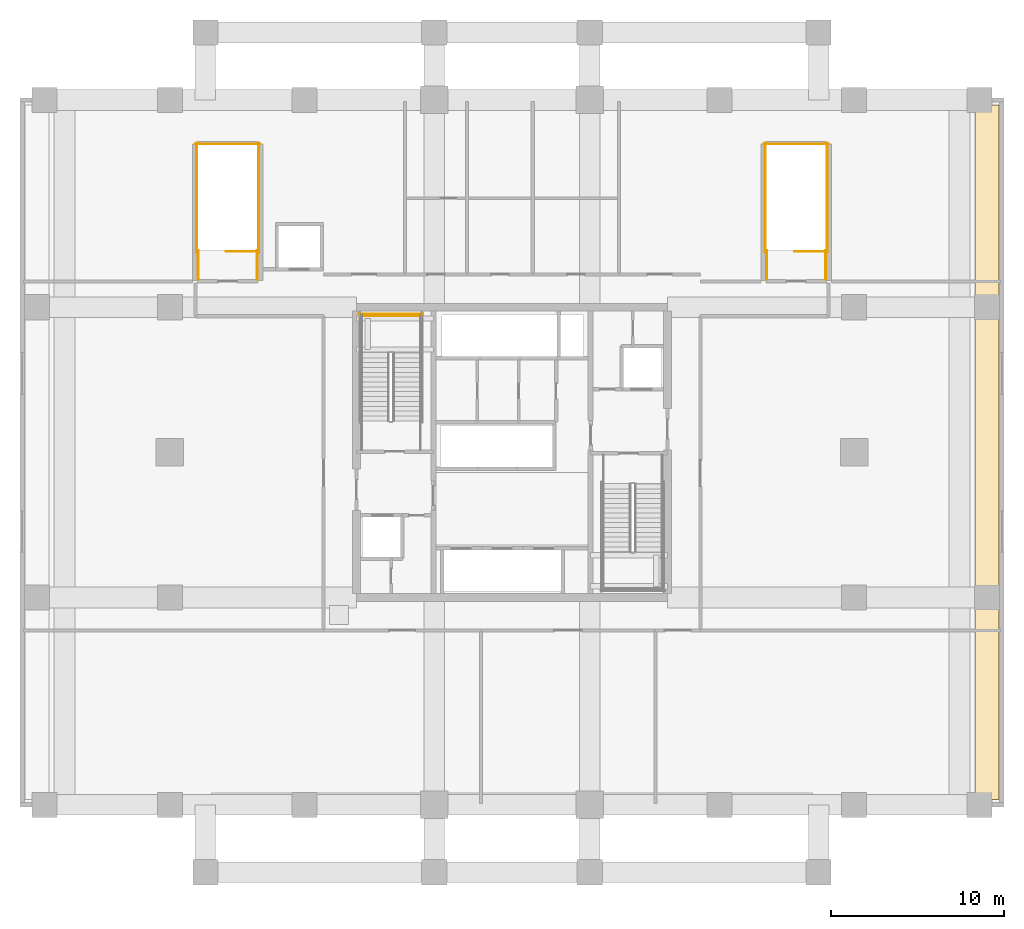
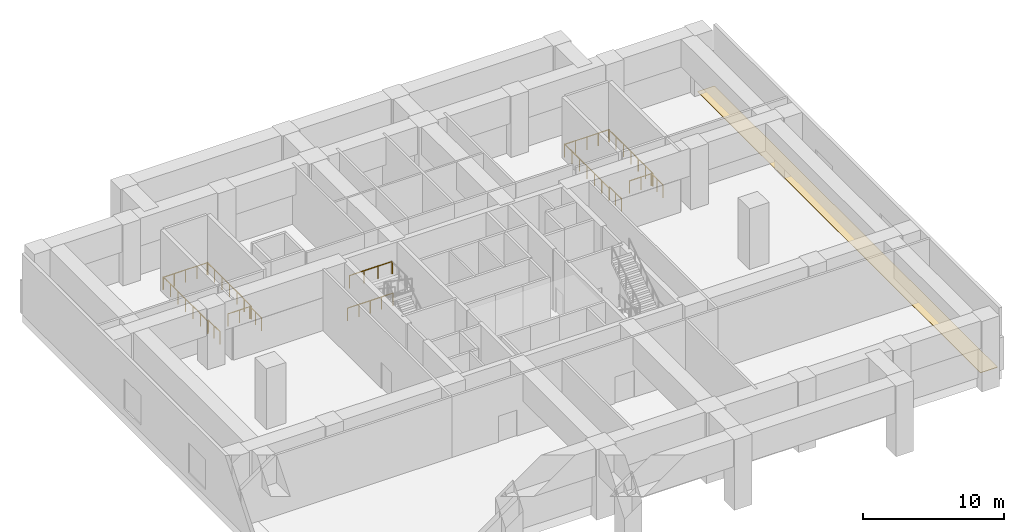
# One storey, part 9 of 9: 14 railings, 1 covering.
"""IFC4 building model written with IfcOpenShell, lengths in metres."""

import ifcopenshell
import ifcopenshell.guid

model = None  # the IFC model being written
_history = None  # IfcOwnerHistory: only IFC2X3 demands one
_inside = {}  # id of a spatial element -> (the spatial element, [elements in it])
_under = {}  # id of a project, library or spatial element -> (it, [spatial elements below it])
_declared = {}  # id of a project -> (the project, [libraries it declares])
_typed = {}  # id of a type object -> (the type object, [elements of that type])
_made_of = {}  # id of a material, layer set ... -> (it, [elements and type objects made of it])


def new_model(schema):
    """Start an empty IFC model of exactly this schema.

    Asked for "IFC4X3", IfcOpenShell would pick the latest addendum, in which some entities
    have other attributes; the version numbers below select the first issue.
    IFC2X3 requires an IfcOwnerHistory on every rooted entity: one is made here for all.
    """
    global model, _history
    if schema == "IFC4X3":
        model = ifcopenshell.file(schema_version=(4, 3, 0, 0))
    else:
        model = ifcopenshell.file(schema=schema)
    _inside.clear()
    _under.clear()
    _declared.clear()
    _typed.clear()
    _made_of.clear()
    _history = None
    if model.schema == "IFC2X3":
        org = make("IfcOrganization", Name="unknown")
        user = make(
            "IfcPersonAndOrganization",
            ThePerson=make("IfcPerson", FamilyName="unknown"),
            TheOrganization=org,
        )
        app = make(
            "IfcApplication",
            ApplicationDeveloper=org,
            Version="unknown",
            ApplicationFullName="unknown",
            ApplicationIdentifier="unknown",
        )
        _history = make(
            "IfcOwnerHistory",
            OwningUser=user,
            OwningApplication=app,
            ChangeAction="ADDED",
            CreationDate=0,
        )
    return model


def make(cls, **values):
    """One entity of the class cls with the attributes given. An attribute that is None is left unset."""
    return model.create_entity(
        cls, **{name: value for name, value in values.items() if value is not None}
    )


def rooted(cls, **values):
    """An entity with a GlobalId (a new one), such as an element, a storey or a relation."""
    return make(cls, GlobalId=ifcopenshell.guid.new(), OwnerHistory=_history, **values)


def si_unit(unit_type, name, prefix=None):
    """IfcSIUnit, for example si_unit("LENGTHUNIT", "METRE", prefix="MILLI")."""
    return make("IfcSIUnit", UnitType=unit_type, Prefix=prefix, Name=name)


def assignment(units):
    """IfcUnitAssignment: the units of a project."""
    return None if units is None else make("IfcUnitAssignment", Units=units)


def point(xyz):
    """IfcCartesianPoint."""
    return None if xyz is None else make("IfcCartesianPoint", Coordinates=xyz)


def direction(xyz):
    """IfcDirection."""
    return None if xyz is None else make("IfcDirection", DirectionRatios=xyz)


def frame(location, z_axis=None, x_axis=None):
    """IfcAxis2Placement3D, a coordinate frame: its origin and axes. An axis left out is left unset."""
    return make(
        "IfcAxis2Placement3D",
        Location=point(location),
        Axis=direction(z_axis),
        RefDirection=direction(x_axis),
    )


def frame_2d(location, x_axis=None):
    """IfcAxis2Placement2D, a coordinate frame in the plane: its origin and x axis."""
    return make(
        "IfcAxis2Placement2D", Location=point(location), RefDirection=direction(x_axis)
    )


def origin():
    """The frame at (0, 0, 0) with its axes left unset."""
    return frame((0.0, 0.0, 0.0))


def origin_2d():
    """The frame at (0, 0) in the plane with its x axis left unset."""
    return frame_2d((0.0, 0.0))


def place(relative_to, where):
    """IfcLocalPlacement: puts the frame where relative to a parent placement (None: the world)."""
    return make(
        "IfcLocalPlacement", PlacementRelTo=relative_to, RelativePlacement=where
    )


def context(
    kind, dimensions, precision=None, world=None, true_north=None, identifier=None
):
    """IfcGeometricRepresentationContext, for example the 3D "Model" context."""
    return make(
        "IfcGeometricRepresentationContext",
        ContextIdentifier=identifier,
        ContextType=kind,
        CoordinateSpaceDimension=dimensions,
        Precision=precision,
        WorldCoordinateSystem=world,
        TrueNorth=true_north,
    )


def subcontext(parent, identifier, kind, view, scale=None):
    """IfcGeometricRepresentationSubContext, for example "Body" below "Model"."""
    return make(
        "IfcGeometricRepresentationSubContext",
        ContextIdentifier=identifier,
        ContextType=kind,
        ParentContext=parent,
        TargetScale=scale,
        TargetView=view,
    )


def project(units=None, contexts=None):
    """IfcProject with its units and contexts."""
    return rooted(
        "IfcProject",
        Name="project",
        RepresentationContexts=contexts,
        UnitsInContext=assignment(units),
    )


def spatial(cls, under=None, at=None, **own):
    """A site, building, storey or space (cls), placed at a placement, below another one or the project."""
    s = rooted(cls, ObjectPlacement=at, **own)
    if under is not None:
        _under.setdefault(under.id(), (under, []))[1].append(s)
    return s


def polyline(points):
    """IfcPolyline through the points."""
    return make("IfcPolyline", Points=[point(p) for p in points])


def profile(cls, at=None, kind="AREA", **sizes):
    """A parametric profile (cls). Its sizes go by their IFC names, for example OverallWidth=200.0."""
    return make(cls, ProfileType=kind, Position=at, **sizes)


def circle(**sizes):
    """IfcCircleProfileDef."""
    return profile("IfcCircleProfileDef", **sizes)


def outline(outer, holes=None, kind="AREA"):
    """IfcArbitraryClosedProfileDef: a profile drawn as a closed curve; with holes, ...WithVoids."""
    if holes is None:
        return make("IfcArbitraryClosedProfileDef", ProfileType=kind, OuterCurve=outer)
    return make(
        "IfcArbitraryProfileDefWithVoids",
        ProfileType=kind,
        OuterCurve=outer,
        InnerCurves=holes,
    )


def extrude(swept, where, along, depth):
    """IfcExtrudedAreaSolid: the profile swept, set in the frame where, extruded along a direction by depth."""
    return make(
        "IfcExtrudedAreaSolid",
        SweptArea=swept,
        Position=where,
        ExtrudedDirection=direction(along),
        Depth=depth,
    )


def shape(context_of_items, identifier, shape_type, items):
    """IfcShapeRepresentation: the items that make up one representation, for example the "Body"."""
    return make(
        "IfcShapeRepresentation",
        ContextOfItems=context_of_items,
        RepresentationIdentifier=identifier,
        RepresentationType=shape_type,
        Items=items,
    )


def material(Name=None, Category=None):
    """IfcMaterial."""
    return make("IfcMaterial", Name=Name, Category=Category)


def layer(
    of_material, thickness, ventilated=None, Name=None, Category=None, Priority=None
):
    """IfcMaterialLayer: one layer of a wall or slab, of a material (None: an air gap)."""
    return make(
        "IfcMaterialLayer",
        Material=of_material,
        LayerThickness=thickness,
        IsVentilated=ventilated,
        Name=Name,
        Category=Category,
        Priority=Priority,
    )


def layer_set(layers, Name=None):
    """IfcMaterialLayerSet."""
    return make("IfcMaterialLayerSet", MaterialLayers=layers, LayerSetName=Name)


def made_of(thing, what):
    """Note that an element or type object is made of a material, layer set ...; save() writes the relation."""
    if what is not None:
        _made_of.setdefault(what.id(), (what, []))[1].append(thing)
    return thing


def type_object(cls, material=None, **own):
    """A type object (cls), such as IfcWallType, which elements share."""
    return made_of(rooted(cls, **own), material)


def element(
    cls,
    number,
    at=None,
    inside=None,
    cuts=None,
    type_object=None,
    material=None,
    context=None,
    identifier="Body",
    shape_type=None,
    held_by="IfcProductDefinitionShape",
    body=None,
    shapes=None,
    **own,
):
    """One element of the class cls, such as IfcWall. Its Tag is "e" and its number.

    at: its placement. inside: the storey or other place that contains it. cuts: it is an
    opening in that element (IfcRelVoidsElement). A single representation is given by context,
    identifier, shape_type and body (its items); several are given by shapes. held_by: the class
    of the entity that holds the representations. save() writes the other relations.
    """
    e = rooted(cls, Tag="e%d" % number, ObjectPlacement=at, **own)
    if body is not None:
        shapes = [shape(context, identifier, shape_type, body)]
    if shapes is not None:
        e.Representation = make(held_by, Representations=shapes)
    if inside is not None:
        _inside.setdefault(inside.id(), (inside, []))[1].append(e)
    if cuts is not None:
        rooted(
            "IfcRelVoidsElement", RelatingBuildingElement=cuts, RelatedOpeningElement=e
        )
    if type_object is not None:
        _typed.setdefault(type_object.id(), (type_object, []))[1].append(e)
    return made_of(e, material)


def aggregate(whole, parts):
    """IfcRelAggregates: a whole, such as a stair, and the parts it consists of."""
    return rooted("IfcRelAggregates", RelatingObject=whole, RelatedObjects=parts)


def save(model, path):
    """Write the relations noted so far, then the file.

    IfcRelAggregates (storeys below a building ...), IfcRelContainedInSpatialStructure (elements
    in a storey), IfcRelDefinesByType, IfcRelAssociatesMaterial and IfcRelDeclares: one each for
    every whole, place, type object, material and project.
    """
    for whole, parts in _under.values():
        aggregate(whole, parts)
    for where, things in _inside.values():
        rooted(
            "IfcRelContainedInSpatialStructure",
            RelatedElements=things,
            RelatingStructure=where,
        )
    for kind, things in _typed.values():
        rooted("IfcRelDefinesByType", RelatedObjects=things, RelatingType=kind)
    for what, things in _made_of.values():
        rooted("IfcRelAssociatesMaterial", RelatedObjects=things, RelatingMaterial=what)
    for by, libraries in _declared.values():
        rooted("IfcRelDeclares", RelatingContext=by, RelatedDefinitions=libraries)
    model.write(path)


model = new_model("IFC4")

# Units and contexts
model_context = context("Model", 3, precision=1e-05, world=origin(), true_north=direction((0.0, 1.0)))
body_context = subcontext(model_context, "Body", "Model", "MODEL_VIEW")
ifc_project = project(units=[si_unit("LENGTHUNIT", "METRE"), si_unit("AREAUNIT", "SQUARE_METRE"), si_unit("VOLUMEUNIT", "CUBIC_METRE"), si_unit("PLANEANGLEUNIT", "RADIAN"), si_unit("MASSUNIT", "GRAM", prefix="KILO")], contexts=[model_context])

# Site, building, storey
site_placement = place(None, origin())
site = spatial("IfcSite", under=ifc_project, at=site_placement, CompositionType="ELEMENT")
building_placement = place(site_placement, origin())
building = spatial("IfcBuilding", under=site, at=building_placement, Name="Serunith Strait Residences", CompositionType="ELEMENT")
storey_placement = place(building_placement, frame((0.0, 0.0, 21.0)))
storey = spatial("IfcBuildingStorey", under=building, at=storey_placement, Name="L04", CompositionType="ELEMENT", Elevation=21.0)

# Covering
ifc_material_1 = material(Name="EPDM & Inverted Stone Ballast Waterproofing Membrane", Category="masonry")
ifc_layer = layer(ifc_material_1, 0.034912109375, Name="EPDM & Inverted Stone Ballast Waterproofing Membrane")
ifc_layer_set = layer_set([ifc_layer], Name="EPDM & Inverted Stone Ballast Waterproofing Membrane")
covering_type = type_object("IfcCoveringType", Name="COV-ROOF-MEMB", PredefinedType="ROOFING", material=ifc_layer_set)
covering_placement = place(storey_placement, origin())
element("IfcCovering", 1, at=covering_placement, inside=storey, type_object=covering_type, Name="L04 Setback Roof Waterproofing Membrane 05", PredefinedType="ROOFING", context=body_context, shape_type="SweptSolid", body=[
    extrude(outline(polyline([(59.199951171875, 5.10009765625), (60.60009765625, 5.10009765625), (60.60009765625, 45.300048828125), (59.199951171875, 45.300048828125), (59.199951171875, 5.10009765625)])), origin(), (0.0, 0.0, 1.0), 0.034912109375),
])

# Railings
ifc_material_2 = material(Name="Brushed stainless steel 316L", Category="steel")
railing_type = type_object("IfcRailingType", Name="RLG-STAIR-GUARD", PredefinedType="BALUSTRADE", material=ifc_material_2)
railing_1_placement = place(storey_placement, frame((27.14990234375, 33.10009765625, 2.85009765625)))
element("IfcRailing", 2, at=railing_1_placement, inside=storey, type_object=railing_type, Name="L04 ST-1 stair guard 5", PredefinedType="BALUSTRADE", context=body_context, shape_type="SweptSolid", body=[
    extrude(circle(Radius=0.02392578125, at=origin_2d()), frame((-0.001953125, 0.0, 1.076171875), z_axis=(-1.0, 0.0, 0.0), x_axis=(0.0, -1.0, 0.0)), (0.0, 0.0, 1.0), 3.49609375),
    extrude(circle(Radius=0.02099609375, at=origin_2d()), origin(), (0.0, 0.0, 1.0), 1.050048828125),
    extrude(circle(Radius=0.02099609375, at=origin_2d()), frame((-1.166748046875, 0.0, 0.0)), (0.0, 0.0, 1.0), 1.050048828125),
    extrude(circle(Radius=0.02099609375, at=origin_2d()), frame((-2.333251953125, 0.0, 0.0)), (0.0, 0.0, 1.0), 1.050048828125),
    extrude(circle(Radius=0.02099609375, at=origin_2d()), frame((-3.5, 0.0, 0.0)), (0.0, 0.0, 1.0), 1.050048828125),
])
railing_2_placement = place(storey_placement, frame((27.25, 33.199951171875, 0.0)))
element("IfcRailing", 3, at=railing_2_placement, inside=storey, type_object=railing_type, Name="L04 ST-1 stair guard 12", PredefinedType="BALUSTRADE", context=body_context, shape_type="SweptSolid", body=[
    extrude(circle(Radius=0.02392578125, at=origin_2d()), frame((-0.001953125, 0.0, 1.076171875), z_axis=(-1.0, 0.0, 0.0), x_axis=(0.0, -1.0, 0.0)), (0.0, 0.0, 1.0), 3.696044921875),
    extrude(circle(Radius=0.02099609375, at=origin_2d()), origin(), (0.0, 0.0, 1.0), 1.050048828125),
    extrude(circle(Radius=0.02099609375, at=origin_2d()), frame((-0.925048828125, 0.0, 0.0)), (0.0, 0.0, 1.0), 1.050048828125),
    extrude(circle(Radius=0.02099609375, at=origin_2d()), frame((-1.85009765625, 0.0, 0.0)), (0.0, 0.0, 1.0), 1.050048828125),
    extrude(circle(Radius=0.02099609375, at=origin_2d()), frame((-2.77490234375, 0.0, 0.0)), (0.0, 0.0, 1.0), 1.050048828125),
    extrude(circle(Radius=0.02099609375, at=origin_2d()), frame((-3.699951171875, 0.0, 0.0)), (0.0, 0.0, 1.0), 1.050048828125),
])
railing_3_placement = place(storey_placement, frame((17.699951171875, 36.830078125, 0.0)))
element("IfcRailing", 4, at=railing_3_placement, inside=storey, type_object=railing_type, Name="L04 ST-3 top well guard 1", PredefinedType="BALUSTRADE", context=body_context, shape_type="SweptSolid", body=[
    extrude(circle(Radius=0.02392578125, at=origin_2d()), frame((-0.001953125, 0.0, 1.076171875), z_axis=(-1.0, 0.0, 0.0), x_axis=(0.0, -1.0, 0.0)), (0.0, 0.0, 1.0), 1.845947265625),
    extrude(circle(Radius=0.02099609375, at=origin_2d()), origin(), (0.0, 0.0, 1.0), 1.050048828125),
    extrude(circle(Radius=0.02099609375, at=origin_2d()), frame((-0.9248046875, 0.0, 0.0)), (0.0, 0.0, 1.0), 1.050048828125),
    extrude(circle(Radius=0.02099609375, at=origin_2d()), frame((-1.849853515625, 0.0, 0.0)), (0.0, 0.0, 1.0), 1.050048828125),
])
for number, where, name in (
    (5, (17.75, 36.780029296875, 0.0), "L04 ST-3 top well guard 2"),
    (6, (14.14990234375, 36.780029296875, 0.0), "L04 ST-3 top well guard 3"),
):
    element("IfcRailing", number, at=place(storey_placement, frame(where)), inside=storey, type_object=railing_type, Name=name, PredefinedType="BALUSTRADE", context=body_context, shape_type="SweptSolid", body=[
        extrude(circle(Radius=0.02392578125, at=origin_2d()), frame((0.0, 0.001953125, 1.076171875), z_axis=(0.0, 1.0, 0.0), x_axis=(-1.0, 0.0, 0.0)), (0.0, 0.0, 1.0), 6.316162109375),
        extrude(circle(Radius=0.02099609375, at=origin_2d()), origin(), (0.0, 0.0, 1.0), 1.050048828125),
        extrude(circle(Radius=0.02099609375, at=origin_2d()), frame((0.0, 1.05322265625, 0.0)), (0.0, 0.0, 1.0), 1.050048828125),
        extrude(circle(Radius=0.02099609375, at=origin_2d()), frame((0.0, 2.106689453125, 0.0)), (0.0, 0.0, 1.0), 1.050048828125),
        extrude(circle(Radius=0.02099609375, at=origin_2d()), frame((0.0, 3.16015625, 0.0)), (0.0, 0.0, 1.0), 1.050048828125),
        extrude(circle(Radius=0.02099609375, at=origin_2d()), frame((0.0, 4.21337890625, 0.0)), (0.0, 0.0, 1.0), 1.050048828125),
        extrude(circle(Radius=0.02099609375, at=origin_2d()), frame((0.0, 5.2666015625, 0.0)), (0.0, 0.0, 1.0), 1.050048828125),
        extrude(circle(Radius=0.02099609375, at=origin_2d()), frame((0.0, 6.320068359375, 0.0)), (0.0, 0.0, 1.0), 1.050048828125),
    ])
railing_4_placement = place(storey_placement, frame((17.800048828125, 43.050048828125, 0.0)))
element("IfcRailing", 7, at=railing_4_placement, inside=storey, type_object=railing_type, Name="L04 ST-3 top well guard 4", PredefinedType="BALUSTRADE", context=body_context, shape_type="SweptSolid", body=[
    extrude(circle(Radius=0.02392578125, at=origin_2d()), frame((-0.001953125, 0.0, 1.076171875), z_axis=(-1.0, 0.0, 0.0), x_axis=(0.0, -1.0, 0.0)), (0.0, 0.0, 1.0), 3.696044921875),
    extrude(circle(Radius=0.02099609375, at=origin_2d()), origin(), (0.0, 0.0, 1.0), 1.050048828125),
    extrude(circle(Radius=0.02099609375, at=origin_2d()), frame((-0.925048828125, 0.0, 0.0)), (0.0, 0.0, 1.0), 1.050048828125),
    extrude(circle(Radius=0.02099609375, at=origin_2d()), frame((-1.85009765625, 0.0, 0.0)), (0.0, 0.0, 1.0), 1.050048828125),
    extrude(circle(Radius=0.02099609375, at=origin_2d()), frame((-2.77490234375, 0.0, 0.0)), (0.0, 0.0, 1.0), 1.050048828125),
    extrude(circle(Radius=0.02099609375, at=origin_2d()), frame((-3.699951171875, 0.0, 0.0)), (0.0, 0.0, 1.0), 1.050048828125),
])
for number, where, name in (
    (8, (17.64990234375, 35.199951171875, 0.0), "L04 ST-3 top well guard 5"),
    (9, (14.25, 35.199951171875, 0.0), "L04 ST-3 top well guard 6"),
):
    element("IfcRailing", number, at=place(storey_placement, frame(where)), inside=storey, type_object=railing_type, Name=name, PredefinedType="BALUSTRADE", context=body_context, shape_type="SweptSolid", body=[
        extrude(circle(Radius=0.02392578125, at=origin_2d()), frame((0.0, 0.001953125, 1.076171875), z_axis=(0.0, 1.0, 0.0), x_axis=(-1.0, 0.0, 0.0)), (0.0, 0.0, 1.0), 1.676025390625),
        extrude(circle(Radius=0.02099609375, at=origin_2d()), origin(), (0.0, 0.0, 1.0), 1.050048828125),
        extrude(circle(Radius=0.02099609375, at=origin_2d()), frame((0.0, 0.83984375, 0.0)), (0.0, 0.0, 1.0), 1.050048828125),
        extrude(circle(Radius=0.02099609375, at=origin_2d()), frame((0.0, 1.679931640625, 0.0)), (0.0, 0.0, 1.0), 1.050048828125),
    ])
railing_5_placement = place(storey_placement, frame((50.60009765625, 36.830078125, 0.0)))
element("IfcRailing", 10, at=railing_5_placement, inside=storey, type_object=railing_type, Name="L04 ST-4 top well guard 1", PredefinedType="BALUSTRADE", context=body_context, shape_type="SweptSolid", body=[
    extrude(circle(Radius=0.02392578125, at=origin_2d()), frame((-0.001953125, 0.0, 1.076171875), z_axis=(-1.0, 0.0, 0.0), x_axis=(0.0, -1.0, 0.0)), (0.0, 0.0, 1.0), 1.84619140625),
    extrude(circle(Radius=0.02099609375, at=origin_2d()), origin(), (0.0, 0.0, 1.0), 1.050048828125),
    extrude(circle(Radius=0.02099609375, at=origin_2d()), frame((-0.925048828125, 0.0, 0.0)), (0.0, 0.0, 1.0), 1.050048828125),
    extrude(circle(Radius=0.02099609375, at=origin_2d()), frame((-1.85009765625, 0.0, 0.0)), (0.0, 0.0, 1.0), 1.050048828125),
])
for number, where, name in (
    (11, (50.64990234375, 36.780029296875, 0.0), "L04 ST-4 top well guard 2"),
    (12, (47.050048828125, 36.780029296875, 0.0), "L04 ST-4 top well guard 3"),
):
    element("IfcRailing", number, at=place(storey_placement, frame(where)), inside=storey, type_object=railing_type, Name=name, PredefinedType="BALUSTRADE", context=body_context, shape_type="SweptSolid", body=[
        extrude(circle(Radius=0.02392578125, at=origin_2d()), frame((0.0, 0.001953125, 1.076171875), z_axis=(0.0, 1.0, 0.0), x_axis=(-1.0, 0.0, 0.0)), (0.0, 0.0, 1.0), 6.316162109375),
        extrude(circle(Radius=0.02099609375, at=origin_2d()), origin(), (0.0, 0.0, 1.0), 1.050048828125),
        extrude(circle(Radius=0.02099609375, at=origin_2d()), frame((0.0, 1.05322265625, 0.0)), (0.0, 0.0, 1.0), 1.050048828125),
        extrude(circle(Radius=0.02099609375, at=origin_2d()), frame((0.0, 2.106689453125, 0.0)), (0.0, 0.0, 1.0), 1.050048828125),
        extrude(circle(Radius=0.02099609375, at=origin_2d()), frame((0.0, 3.16015625, 0.0)), (0.0, 0.0, 1.0), 1.050048828125),
        extrude(circle(Radius=0.02099609375, at=origin_2d()), frame((0.0, 4.21337890625, 0.0)), (0.0, 0.0, 1.0), 1.050048828125),
        extrude(circle(Radius=0.02099609375, at=origin_2d()), frame((0.0, 5.2666015625, 0.0)), (0.0, 0.0, 1.0), 1.050048828125),
        extrude(circle(Radius=0.02099609375, at=origin_2d()), frame((0.0, 6.320068359375, 0.0)), (0.0, 0.0, 1.0), 1.050048828125),
    ])
railing_6_placement = place(storey_placement, frame((50.699951171875, 43.050048828125, 0.0)))
element("IfcRailing", 13, at=railing_6_placement, inside=storey, type_object=railing_type, Name="L04 ST-4 top well guard 4", PredefinedType="BALUSTRADE", context=body_context, shape_type="SweptSolid", body=[
    extrude(circle(Radius=0.02392578125, at=origin_2d()), frame((-0.001953125, 0.0, 1.076171875), z_axis=(-1.0, 0.0, 0.0), x_axis=(0.0, -1.0, 0.0)), (0.0, 0.0, 1.0), 3.696044921875),
    extrude(circle(Radius=0.02099609375, at=origin_2d()), origin(), (0.0, 0.0, 1.0), 1.050048828125),
    extrude(circle(Radius=0.02099609375, at=origin_2d()), frame((-0.925048828125, 0.0, 0.0)), (0.0, 0.0, 1.0), 1.050048828125),
    extrude(circle(Radius=0.02099609375, at=origin_2d()), frame((-1.85009765625, 0.0, 0.0)), (0.0, 0.0, 1.0), 1.050048828125),
    extrude(circle(Radius=0.02099609375, at=origin_2d()), frame((-2.77490234375, 0.0, 0.0)), (0.0, 0.0, 1.0), 1.050048828125),
    extrude(circle(Radius=0.02099609375, at=origin_2d()), frame((-3.699951171875, 0.0, 0.0)), (0.0, 0.0, 1.0), 1.050048828125),
])
for number, where, name in (
    (14, (50.550048828125, 35.199951171875, 0.0), "L04 ST-4 top well guard 5"),
    (15, (47.14990234375, 35.199951171875, 0.0), "L04 ST-4 top well guard 6"),
):
    element("IfcRailing", number, at=place(storey_placement, frame(where)), inside=storey, type_object=railing_type, Name=name, PredefinedType="BALUSTRADE", context=body_context, shape_type="SweptSolid", body=[
        extrude(circle(Radius=0.02392578125, at=origin_2d()), frame((0.0, 0.001953125, 1.076171875), z_axis=(0.0, 1.0, 0.0), x_axis=(-1.0, 0.0, 0.0)), (0.0, 0.0, 1.0), 1.676025390625),
        extrude(circle(Radius=0.02099609375, at=origin_2d()), origin(), (0.0, 0.0, 1.0), 1.050048828125),
        extrude(circle(Radius=0.02099609375, at=origin_2d()), frame((0.0, 0.83984375, 0.0)), (0.0, 0.0, 1.0), 1.050048828125),
        extrude(circle(Radius=0.02099609375, at=origin_2d()), frame((0.0, 1.679931640625, 0.0)), (0.0, 0.0, 1.0), 1.050048828125),
    ])

save(model, "model.ifc")
